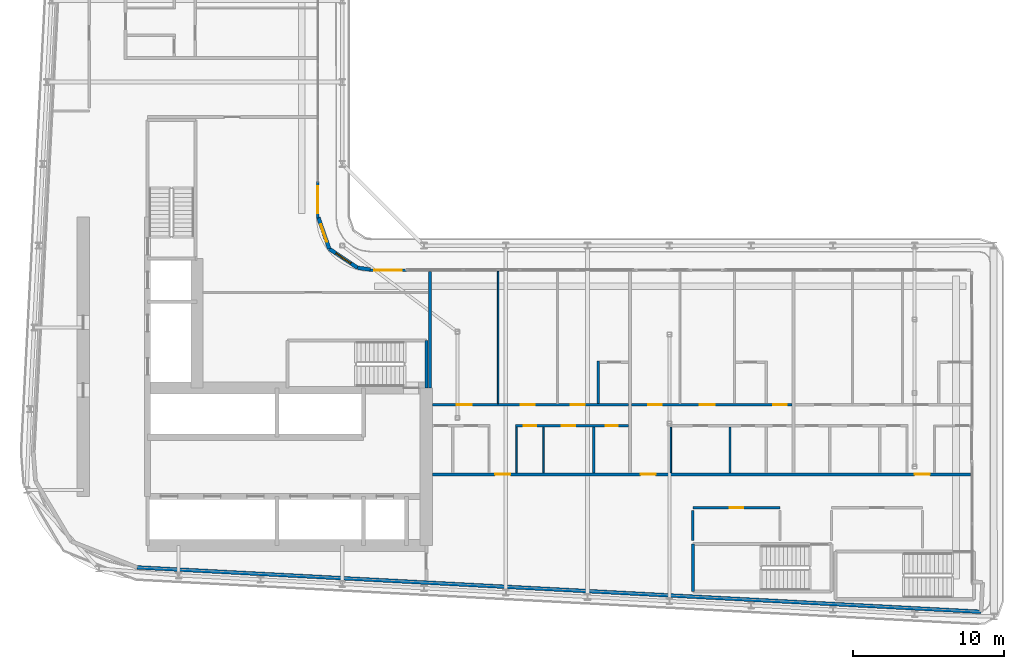
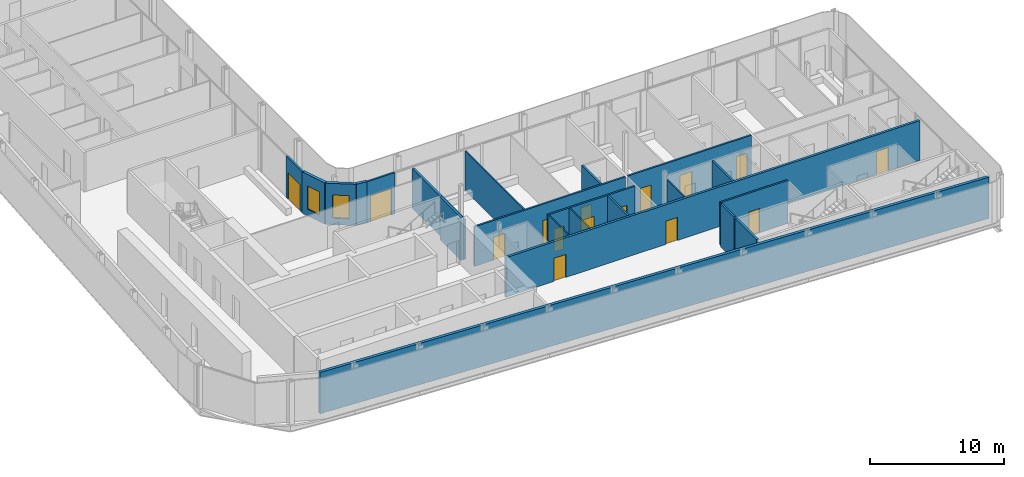
# One storey, part 12 of 24: 22 walls, 15 doors, 2 windows, 17 openings.
"""IFC4 building model written with IfcOpenShell, lengths in metres."""

from ifc_helpers import new_model, si_unit, direction, frame, frame_2d, origin, place, context, subcontext, project, spatial, rectangle, extrude, source, transform, mapped, material, layer, layer_set, type_object, element, fill, save


model = new_model("IFC4")

# Units and contexts
model_context = context("Model", 3, precision=1e-05, world=origin(), true_north=direction((0.0, 1.0)))
body_context = subcontext(model_context, "Body", "Model", "MODEL_VIEW")
ifc_project = project(units=[si_unit("LENGTHUNIT", "METRE"), si_unit("AREAUNIT", "SQUARE_METRE"), si_unit("VOLUMEUNIT", "CUBIC_METRE"), si_unit("PLANEANGLEUNIT", "RADIAN"), si_unit("MASSUNIT", "GRAM", prefix="KILO")], contexts=[model_context])

# Site, building, storey
site_placement = place(None, origin())
site = spatial("IfcSite", under=ifc_project, at=site_placement, CompositionType="ELEMENT")
building_placement = place(site_placement, origin())
building = spatial("IfcBuilding", under=site, at=building_placement, Name="Kheshtan School and Residences Tower", CompositionType="ELEMENT")
storey_placement = place(building_placement, frame((0.0, 0.0, 160.39990234375)))
storey = spatial("IfcBuildingStorey", under=building, at=storey_placement, Name="L37", CompositionType="ELEMENT", Elevation=160.39990234375)

# Wall, openings, doors
ifc_material_1 = material(Name="Gypsum board on steel studs with fire boards", Category="steel")
ifc_layer_1 = layer(ifc_material_1, 0.199951171875)
ifc_layer_set_1 = layer_set([ifc_layer_1], Name="Corridor wall 200")
wall_type_1 = type_object("IfcWallType", Name="Corridor wall 200", PredefinedType="PARTITIONING", material=ifc_layer_set_1)
wall_1_placement = place(storey_placement, frame((53.549072265625, 30.5, 0.0), z_axis=(0.0, 0.0, 1.0), x_axis=(1.0, 0.0, 0.0)))
wall_1 = element("IfcWall", 1, at=wall_1_placement, inside=storey, type_object=wall_type_1, Name="Partition L37-037", PredefinedType="PARTITIONING", context=body_context, shape_type="SweptSolid", body=[
    extrude(rectangle(XDim=35.551025390625, YDim=0.199951171875, at=frame_2d((17.775390625, 0.0))), origin(), (0.0, 0.0, 1.0), 3.60009765625),
])
opening_1_placement = place(wall_1_placement, frame((4.15087890625, 0.0, 0.0)))
opening_1 = element("IfcOpeningElement", 2, at=opening_1_placement, cuts=wall_1, Name="Opening D37-005", PredefinedType="OPENING", context=body_context, shape_type="SweptSolid", body=[
    extrude(rectangle(XDim=1.0, YDim=2.10009765625, at=frame_2d((0.5, 1.050048828125))), frame((0.0, 0.10986328125, 0.0), z_axis=(0.0, -1.0, 0.0), x_axis=(1.0, 0.0, 0.0)), (0.0, 0.0, 1.0), 0.219970703125),
])
opening_2_placement = place(wall_1_placement, frame((13.7509765625, 0.0, 0.0)))
opening_2 = element("IfcOpeningElement", 3, at=opening_2_placement, cuts=wall_1, Name="Opening D37-014", PredefinedType="OPENING", context=body_context, shape_type="SweptSolid", body=[
    extrude(rectangle(XDim=1.0, YDim=2.10009765625, at=frame_2d((0.5, 1.050048828125))), frame((0.0, 0.10986328125, 0.0), z_axis=(0.0, -1.0, 0.0), x_axis=(1.0, 0.0, 0.0)), (0.0, 0.0, 1.0), 0.219970703125),
])
opening_3_placement = place(wall_1_placement, frame((31.85107421875, 0.0, 0.0)))
opening_3 = element("IfcOpeningElement", 4, at=opening_3_placement, cuts=wall_1, Name="Opening D37-023", PredefinedType="OPENING", context=body_context, shape_type="SweptSolid", body=[
    extrude(rectangle(XDim=1.0, YDim=2.10009765625, at=frame_2d((0.5, 1.050048828125))), frame((0.0, 0.10986328125, 0.0), z_axis=(0.0, -1.0, 0.0), x_axis=(1.0, 0.0, 0.0)), (0.0, 0.0, 1.0), 0.219970703125),
])
ifc_material_2 = material(Name="Steel-framed fire-resisting door leaf", Category="steel")
door_type_1 = type_object("IfcDoorType", Name="Fire door FD30S 1000 x 2100", OperationType="SINGLE_SWING_LEFT", PredefinedType="DOOR", material=ifc_material_2)
shared_shape_1 = source(origin(), body_context, "Body", "SweptSolid", [
    extrude(rectangle(XDim=1.0, YDim=2.10009765625, at=frame_2d((0.5, 1.050048828125))), frame((0.0, 0.02490234375, 0.0), z_axis=(0.0, -1.0, 0.0), x_axis=(1.0, 0.0, 0.0)), (0.0, 0.0, 1.0), 0.050048828125),
])
door_1_placement = place(opening_1_placement, origin())
door_1 = element("IfcDoor", 5, at=door_1_placement, inside=storey, type_object=door_type_1, Name="Door D37-005", OperationType="SINGLE_SWING_RIGHT", OverallHeight=2.10009765625, OverallWidth=1.0, PredefinedType="DOOR", context=body_context, shape_type="MappedRepresentation", body=[
    mapped(shared_shape_1, transform((0.0, 0.0, 0.0), x_axis=(1.0, 0.0, 0.0), y_axis=(0.0, 1.0, 0.0), z_axis=(0.0, 0.0, 1.0), scale=1.0)),
])
fill(opening_1, door_1)
door_2_placement = place(opening_2_placement, origin())
door_2 = element("IfcDoor", 6, at=door_2_placement, inside=storey, type_object=door_type_1, Name="Door D37-014", OperationType="SINGLE_SWING_LEFT", OverallHeight=2.10009765625, OverallWidth=1.0, PredefinedType="DOOR", context=body_context, shape_type="MappedRepresentation", body=[
    mapped(shared_shape_1, transform((0.0, 0.0, 0.0), x_axis=(1.0, 0.0, 0.0), y_axis=(0.0, 1.0, 0.0), z_axis=(0.0, 0.0, 1.0), scale=1.0)),
])
fill(opening_2, door_2)
door_3_placement = place(opening_3_placement, origin())
door_3 = element("IfcDoor", 7, at=door_3_placement, inside=storey, type_object=door_type_1, Name="Door D37-023", OperationType="SINGLE_SWING_RIGHT", OverallHeight=2.10009765625, OverallWidth=1.0, PredefinedType="DOOR", context=body_context, shape_type="MappedRepresentation", body=[
    mapped(shared_shape_1, transform((0.0, 0.0, 0.0), x_axis=(1.0, 0.0, 0.0), y_axis=(0.0, 1.0, 0.0), z_axis=(0.0, 0.0, 1.0), scale=1.0)),
])
fill(opening_3, door_3)

# Wall, opening, window
ifc_material_3 = material(Name="Concrete C40/50 with ceramic cladding and mineral wool insulation", Category="concrete")
ifc_layer_2 = layer(ifc_material_3, 0.25)
ifc_layer_set_2 = layer_set([ifc_layer_2], Name="External wall 250 ceramic clad")
wall_type_2 = type_object("IfcWallType", Name="External wall 250 ceramic clad", PredefinedType="SOLIDWALL", material=ifc_layer_set_2)
wall_2_placement = place(storey_placement, frame((46.01806640625, 47.470947265625, 0.0), z_axis=(0.0, 0.0, 1.0), x_axis=(0.328791208903, -0.944402637093, 0.0)))
wall_2 = element("IfcWall", 8, at=wall_2_placement, inside=storey, type_object=wall_type_2, Name="External wall L37 9", PredefinedType="SOLIDWALL", context=body_context, shape_type="SweptSolid", body=[
    extrude(rectangle(XDim=2.20458984375, YDim=0.25, at=frame_2d((1.102294921875, 0.0))), origin(), (0.0, 0.0, 1.0), 3.75),
])
opening_4_placement = place(wall_2_placement, frame((0.5029296875, 0.0, 0.60009765625)))
opening_4 = element("IfcOpeningElement", 9, at=opening_4_placement, cuts=wall_2, Name="Opening WN-E", PredefinedType="OPENING", context=body_context, shape_type="SweptSolid", body=[
    extrude(rectangle(XDim=1.199951171875, YDim=2.10009765625, at=frame_2d((0.60009765625, 1.050048828125))), frame((0.0, 0.135009765625, 0.0), z_axis=(0.0, -1.0, 0.0), x_axis=(1.0, 0.0, 0.0)), (0.0, 0.0, 1.0), 0.27001953125),
])
ifc_material_4 = material(Name="Clear low-e glass in thermally broken aluminium frame", Category="aluminium")
window_type = type_object("IfcWindowType", Name="Window WN-E", PartitioningType="SINGLE_PANEL", PredefinedType="WINDOW", material=ifc_material_4)
shared_shape_2 = source(origin(), body_context, "Body", "SweptSolid", [
    extrude(rectangle(XDim=1.199951171875, YDim=2.10009765625, at=frame_2d((0.60009765625, 1.050048828125))), frame((0.0, 0.030029296875, 0.0), z_axis=(0.0, -1.0, 0.0), x_axis=(1.0, 0.0, 0.0)), (0.0, 0.0, 1.0), 0.06005859375),
])
window_1_placement = place(opening_4_placement, origin())
window_1 = element("IfcWindow", 10, at=window_1_placement, inside=storey, type_object=window_type, Name="Window L37 9", OverallHeight=2.10009765625, OverallWidth=1.199951171875, PartitioningType="SINGLE_PANEL", PredefinedType="WINDOW", context=body_context, shape_type="MappedRepresentation", body=[
    mapped(shared_shape_2, transform((0.0, 0.0, 0.0), x_axis=(1.0, 0.0, 0.0), y_axis=(0.0, 1.0, 0.0), z_axis=(0.0, 0.0, 1.0), scale=1.0)),
])
fill(opening_4, window_1)

wall_3_placement = place(storey_placement, frame((46.742919921875, 45.388916015625, 0.0), z_axis=(0.0, 0.0, 1.0), x_axis=(0.831449265529, -0.555600682912, 0.0)))
wall_3 = element("IfcWall", 11, at=wall_3_placement, inside=storey, type_object=wall_type_2, Name="External wall L37 10", PredefinedType="SOLIDWALL", context=body_context, shape_type="SweptSolid", body=[
    extrude(rectangle(XDim=2.25146484375, YDim=0.25, at=frame_2d((1.125732421875, 0.0))), origin(), (0.0, 0.0, 1.0), 3.75),
])
opening_5_placement = place(wall_3_placement, frame((0.52490234375, 0.0, 0.60009765625)))
opening_5 = element("IfcOpeningElement", 12, at=opening_5_placement, cuts=wall_3, Name="Opening WN-E", PredefinedType="OPENING", context=body_context, shape_type="SweptSolid", body=[
    extrude(rectangle(XDim=1.199951171875, YDim=2.10009765625, at=frame_2d((0.60009765625, 1.050048828125))), frame((0.0, 0.135009765625, 0.0), z_axis=(0.0, -1.0, 0.0), x_axis=(1.0, 0.0, 0.0)), (0.0, 0.0, 1.0), 0.27001953125),
])
window_2_placement = place(opening_5_placement, origin())
window_2 = element("IfcWindow", 13, at=window_2_placement, inside=storey, type_object=window_type, Name="Window L37 10", OverallHeight=2.10009765625, OverallWidth=1.199951171875, PartitioningType="SINGLE_PANEL", PredefinedType="WINDOW", context=body_context, shape_type="MappedRepresentation", body=[
    mapped(shared_shape_2, transform((0.0, 0.0, 0.0), x_axis=(1.0, 0.0, 0.0), y_axis=(0.0, 1.0, 0.0), z_axis=(0.0, 0.0, 1.0), scale=1.0)),
])
fill(opening_5, window_2)

# Walls
wall_4_placement = place(storey_placement, frame((48.614990234375, 44.137939453125, 0.0), z_axis=(0.0, 0.0, 1.0), x_axis=(0.990741504246, -0.135761819977, 0.0)))
element("IfcWall", 14, at=wall_4_placement, inside=storey, type_object=wall_type_2, Name="External wall L37 11", PredefinedType="SOLIDWALL", context=body_context, shape_type="SweptSolid", body=[
    extrude(rectangle(XDim=0.83984375, YDim=0.25, at=frame_2d((0.419921875, 0.0))), origin(), (0.0, 0.0, 1.0), 3.75),
])
wall_5_placement = place(storey_placement, frame((89.785888671875, 21.4189453125, 0.0), z_axis=(0.0, 0.0, 1.0), x_axis=(-0.998617793089, 0.052559521752, 0.0)))
element("IfcWall", 15, at=wall_5_placement, inside=storey, type_object=wall_type_2, Name="External wall L37 16", PredefinedType="SOLIDWALL", context=body_context, shape_type="SweptSolid", body=[
    extrude(rectangle(XDim=55.823974609375, YDim=0.25, at=frame_2d((27.912109375, 0.0))), origin(), (0.0, 0.0, 1.0), 3.75),
])

# Wall, opening, door
ifc_material_5 = material(Name="Aluminium frame wall with insulated infill", Category="aluminium")
ifc_layer_3 = layer(ifc_material_5, 0.14990234375)
ifc_layer_set_3 = layer_set([ifc_layer_3], Name="Glazing frame wall 150")
wall_type_3 = type_object("IfcWallType", Name="Glazing frame wall 150", PredefinedType="SOLIDWALL", material=ifc_layer_set_3)
wall_6_placement = place(storey_placement, frame((45.97509765625, 49.830078125, 0.0), z_axis=(0.0, 0.0, 1.0), x_axis=(0.0, -1.0, 0.0)))
wall_6 = element("IfcWall", 16, at=wall_6_placement, inside=storey, type_object=wall_type_3, Name="Balcony door wall L37 8.5", PredefinedType="SOLIDWALL", context=body_context, shape_type="SweptSolid", body=[
    extrude(rectangle(XDim=2.400146484375, YDim=0.14990234375, at=frame_2d((1.2001953125, 0.0))), origin(), (0.0, 0.0, 1.0), 3.75),
])
opening_6_placement = place(wall_6_placement, frame((0.300048828125, 0.0, 0.0)))
opening_6 = element("IfcOpeningElement", 17, at=opening_6_placement, cuts=wall_6, Name="Opening BD", PredefinedType="OPENING", context=body_context, shape_type="SweptSolid", body=[
    extrude(rectangle(XDim=1.800048828125, YDim=2.39990234375, at=frame_2d((0.89990234375, 1.199951171875))), frame((0.0, 0.0849609375, 0.0), z_axis=(0.0, -1.0, 0.0), x_axis=(1.0, 0.0, 0.0)), (0.0, 0.0, 1.0), 0.169921875),
])
door_type_2 = type_object("IfcDoorType", Name="Balcony sliding door", OperationType="SLIDING_TO_LEFT", PredefinedType="DOOR", material=ifc_material_4)
shared_shape_3 = source(origin(), body_context, "Body", "SweptSolid", [
    extrude(rectangle(XDim=1.800048828125, YDim=2.39990234375, at=frame_2d((0.89990234375, 1.199951171875))), frame((0.0, 0.02490234375, 0.0), z_axis=(0.0, -1.0, 0.0), x_axis=(1.0, 0.0, 0.0)), (0.0, 0.0, 1.0), 0.050048828125),
])
door_4_placement = place(opening_6_placement, origin())
door_4 = element("IfcDoor", 18, at=door_4_placement, inside=storey, type_object=door_type_2, Name="Balcony door L37 8.5", OperationType="SLIDING_TO_LEFT", OverallHeight=2.39990234375, OverallWidth=1.800048828125, PredefinedType="DOOR", context=body_context, shape_type="MappedRepresentation", body=[
    mapped(shared_shape_3, transform((0.0, 0.0, 0.0), x_axis=(1.0, 0.0, 0.0), y_axis=(0.0, 1.0, 0.0), z_axis=(0.0, 0.0, 1.0), scale=1.0)),
])
fill(opening_6, door_4)

wall_7_placement = place(storey_placement, frame((49.429931640625, 43.97509765625, 0.0), z_axis=(0.0, 0.0, 1.0), x_axis=(1.0, 0.0, 0.0)))
wall_7 = element("IfcWall", 19, at=wall_7_placement, inside=storey, type_object=wall_type_3, Name="Balcony door wall L37 12.1", PredefinedType="SOLIDWALL", context=body_context, shape_type="SweptSolid", body=[
    extrude(rectangle(XDim=2.400146484375, YDim=0.14990234375, at=frame_2d((1.2001953125, 0.0))), origin(), (0.0, 0.0, 1.0), 3.75),
])
opening_7_placement = place(wall_7_placement, frame((0.300048828125, 0.0, 0.0)))
opening_7 = element("IfcOpeningElement", 20, at=opening_7_placement, cuts=wall_7, Name="Opening BD", PredefinedType="OPENING", context=body_context, shape_type="SweptSolid", body=[
    extrude(rectangle(XDim=1.800048828125, YDim=2.39990234375, at=frame_2d((0.89990234375, 1.199951171875))), frame((0.0, 0.0849609375, 0.0), z_axis=(0.0, -1.0, 0.0), x_axis=(1.0, 0.0, 0.0)), (0.0, 0.0, 1.0), 0.169921875),
])
door_5_placement = place(opening_7_placement, origin())
door_5 = element("IfcDoor", 21, at=door_5_placement, inside=storey, type_object=door_type_2, Name="Balcony door L37 12.1", OperationType="SLIDING_TO_LEFT", OverallHeight=2.39990234375, OverallWidth=1.800048828125, PredefinedType="DOOR", context=body_context, shape_type="MappedRepresentation", body=[
    mapped(shared_shape_3, transform((0.0, 0.0, 0.0), x_axis=(1.0, 0.0, 0.0), y_axis=(0.0, 1.0, 0.0), z_axis=(0.0, 0.0, 1.0), scale=1.0)),
])
fill(opening_7, door_5)

# Walls
ifc_material_6 = material(Name="Gypsum board on steel studs", Category="steel")
ifc_layer_4 = layer(ifc_material_6, 0.10009765625)
ifc_layer_set_4 = layer_set([ifc_layer_4], Name="Gypsum partition 100")
wall_type_4 = type_object("IfcWallType", Name="Gypsum partition 100", PredefinedType="PARTITIONING", material=ifc_layer_set_4)
wall_8_placement = place(storey_placement, frame((57.89990234375, 35.175048828125, 0.0), z_axis=(0.0, 0.0, 1.0), x_axis=(0.0, 1.0, 0.0)))
element("IfcWall", 22, at=wall_8_placement, inside=storey, type_object=wall_type_4, Name="Partition L37-042", PredefinedType="PARTITIONING", context=body_context, shape_type="SweptSolid", body=[
    extrude(rectangle(XDim=8.724853515625, YDim=0.10009765625, at=frame_2d((4.3623046875, 0.0))), origin(), (0.0, 0.0, 1.0), 3.60009765625),
])
for number, where, z_axis, x_axis, name in (
    (23, (59.10009765625, 30.60009765625, 0.0), (0.0, 0.0, 1.0), (0.0, 1.0, 0.0), "Partition L37-044"),
    (24, (60.89990234375, 30.60009765625, 0.0), (0.0, 0.0, 1.0), (0.0, 1.0, 0.0), "Partition L37-045"),
):
    element("IfcWall", number, at=place(storey_placement, frame(where, z_axis=z_axis, x_axis=x_axis)), inside=storey, type_object=wall_type_4, Name=name, PredefinedType="PARTITIONING", context=body_context, shape_type="SweptSolid", body=[
        extrude(rectangle(XDim=3.02490234375, YDim=0.10009765625, at=frame_2d((1.512451171875, 0.0))), origin(), (0.0, 0.0, 1.0), 3.60009765625),
    ])
wall_9_placement = place(storey_placement, frame((69.300048828125, 30.60009765625, 0.0), z_axis=(0.0, 0.0, 1.0), x_axis=(0.0, 1.0, 0.0)))
element("IfcWall", 25, at=wall_9_placement, inside=storey, type_object=wall_type_4, Name="Partition L37-053", PredefinedType="PARTITIONING", context=body_context, shape_type="SweptSolid", body=[
    extrude(rectangle(XDim=3.02490234375, YDim=0.10009765625, at=frame_2d((1.512451171875, 0.0))), origin(), (0.0, 0.0, 1.0), 3.217041015625),
])

# Wall, opening, door
ifc_material_7 = material(Name="Fire-board shaft wall system")
ifc_layer_5 = layer(ifc_material_7, 0.14990234375)
ifc_layer_set_5 = layer_set([ifc_layer_5], Name="Service room wall 150")
wall_type_5 = type_object("IfcWallType", Name="Service room wall 150", PredefinedType="PARTITIONING", material=ifc_layer_set_5)
wall_10_placement = place(storey_placement, frame((70.75, 28.300048828125, 0.0), z_axis=(0.0, 0.0, 1.0), x_axis=(1.0, 0.0, 0.0)))
wall_10 = element("IfcWall", 26, at=wall_10_placement, inside=storey, type_object=wall_type_5, Name="Service room wall", PredefinedType="PARTITIONING", context=body_context, shape_type="SweptSolid", body=[
    extrude(rectangle(XDim=5.760009765625, YDim=0.14990234375, at=frame_2d((2.8798828125, 0.0))), origin(), (0.0, 0.0, 1.0), 3.900146484375),
])
opening_8_placement = place(wall_10_placement, frame((2.429931640625, 0.0, 0.0)))
opening_8 = element("IfcOpeningElement", 27, at=opening_8_placement, cuts=wall_10, Name="Opening SR90", PredefinedType="OPENING", context=body_context, shape_type="SweptSolid", body=[
    extrude(rectangle(XDim=0.89990234375, YDim=2.199951171875, at=frame_2d((0.449951171875, 1.10009765625))), frame((0.0, 0.0849609375, 0.0), z_axis=(0.0, -1.0, 0.0), x_axis=(1.0, 0.0, 0.0)), (0.0, 0.0, 1.0), 0.169921875),
])
ifc_material_8 = material(Name="Steel door leaf, galvanised", Category="steel")
door_type_3 = type_object("IfcDoorType", Name="Service room door 900 steel 90 min", OperationType="SINGLE_SWING_LEFT", PredefinedType="DOOR", material=ifc_material_8)
shared_shape_4 = source(origin(), body_context, "Body", "SweptSolid", [
    extrude(rectangle(XDim=0.89990234375, YDim=2.199951171875, at=frame_2d((0.449951171875, 1.10009765625))), frame((0.0, 0.02490234375, 0.0), z_axis=(0.0, -1.0, 0.0), x_axis=(1.0, 0.0, 0.0)), (0.0, 0.0, 1.0), 0.050048828125),
])
door_6_placement = place(opening_8_placement, origin())
door_6 = element("IfcDoor", 28, at=door_6_placement, inside=storey, type_object=door_type_3, Name="Service room door", OperationType="SINGLE_SWING_LEFT", OverallHeight=2.199951171875, OverallWidth=0.89990234375, PredefinedType="DOOR", context=body_context, shape_type="MappedRepresentation", body=[
    mapped(shared_shape_4, transform((0.0, 0.0, 0.0), x_axis=(1.0, 0.0, 0.0), y_axis=(0.0, 1.0, 0.0), z_axis=(0.0, 0.0, 1.0), scale=1.0)),
])
fill(opening_8, door_6)

# Walls
wall_11_placement = place(storey_placement, frame((70.75, 26.1201171875, 0.0), z_axis=(0.0, 0.0, 1.0), x_axis=(0.0, 1.0, 0.0)))
element("IfcWall", 29, at=wall_11_placement, inside=storey, type_object=wall_type_5, Name="Service room wall", PredefinedType="PARTITIONING", context=body_context, shape_type="SweptSolid", body=[
    extrude(rectangle(XDim=1.98486328125, YDim=0.14990234375, at=frame_2d((0.992431640625, 0.0))), origin(), (0.0, 0.0, 1.0), 3.900146484375),
])
ifc_material_9 = material(Name="Concrete C40/50", Category="concrete")
ifc_layer_6 = layer(ifc_material_9, 0.199951171875)
ifc_layer_set_6 = layer_set([ifc_layer_6], Name="Stair enclosure wall 200 Concrete C40/50")
wall_type_6 = type_object("IfcWallType", Name="Stair enclosure wall 200 Concrete C40/50", PredefinedType="SHEAR", material=ifc_layer_set_6)
wall_12_placement = place(storey_placement, frame((53.14990234375, 36.199951171875, 0.0), z_axis=(0.0, 0.0, 1.0), x_axis=(0.0, 1.0, 0.0)))
element("IfcWall", 30, at=wall_12_placement, inside=storey, type_object=wall_type_6, Name="Stair enclosure wall ST1", PredefinedType="SHEAR", context=body_context, shape_type="SweptSolid", body=[
    extrude(rectangle(XDim=3.150146484375, YDim=0.199951171875, at=frame_2d((1.5751953125, 0.0))), origin(), (0.0, 0.0, 1.0), 3.900146484375),
])
wall_13_placement = place(storey_placement, frame((70.75, 22.75, 0.0), z_axis=(0.0, 0.0, 1.0), x_axis=(0.0, 1.0, 0.0)))
element("IfcWall", 31, at=wall_13_placement, inside=storey, type_object=wall_type_6, Name="Stair enclosure wall ST5", PredefinedType="SHEAR", context=body_context, shape_type="SweptSolid", body=[
    extrude(rectangle(XDim=3.14990234375, YDim=0.199951171875, at=frame_2d((1.574951171875, 0.0))), origin(), (0.0, 0.0, 1.0), 3.900146484375),
])
ifc_material_10 = material(Name="Twin gypsum board on steel studs with mineral wool", Category="steel")
ifc_layer_7 = layer(ifc_material_10, 0.199951171875)
ifc_layer_set_7 = layer_set([ifc_layer_7], Name="Unit demising wall 200")
wall_type_7 = type_object("IfcWallType", Name="Unit demising wall 200", PredefinedType="PARTITIONING", material=ifc_layer_set_7)
wall_14_placement = place(storey_placement, frame((53.39990234375, 36.198974609375, 0.0), z_axis=(0.0, 0.0, 1.0), x_axis=(0.0, 1.0, 0.0)))
element("IfcWall", 32, at=wall_14_placement, inside=storey, type_object=wall_type_7, Name="Partition L37-036", PredefinedType="PARTITIONING", context=body_context, shape_type="SweptSolid", body=[
    extrude(rectangle(XDim=7.700927734375, YDim=0.199951171875, at=frame_2d((3.8505859375, 0.0))), origin(), (0.0, 0.0, 1.0), 3.60009765625),
])

# Wall, openings, doors
ifc_material_11 = material(Name="Moisture-resistant gypsum board on steel studs", Category="steel")
ifc_layer_8 = layer(ifc_material_11, 0.14990234375)
ifc_layer_set_8 = layer_set([ifc_layer_8], Name="Wet-room partition 150")
wall_type_8 = type_object("IfcWallType", Name="Wet-room partition 150", PredefinedType="PARTITIONING", material=ifc_layer_set_8)
wall_15_placement = place(storey_placement, frame((53.549072265625, 35.10009765625, 0.0), z_axis=(0.0, 0.0, 1.0), x_axis=(1.0, 0.0, 0.0)))
wall_15 = element("IfcWall", 33, at=wall_15_placement, inside=storey, type_object=wall_type_8, Name="Partition L37-039", PredefinedType="PARTITIONING", context=body_context, shape_type="SweptSolid", body=[
    extrude(rectangle(XDim=12.950927734375, YDim=0.14990234375, at=frame_2d((6.4755859375, 0.0))), origin(), (0.0, 0.0, 1.0), 3.60009765625),
])
opening_9_placement = place(wall_15_placement, frame((5.85107421875, 0.0, 0.0)))
opening_9 = element("IfcOpeningElement", 34, at=opening_9_placement, cuts=wall_15, Name="Opening D37-002", PredefinedType="OPENING", context=body_context, shape_type="SweptSolid", body=[
    extrude(rectangle(XDim=0.89990234375, YDim=2.10009765625, at=frame_2d((0.449951171875, 1.050048828125))), frame((0.0, 0.0849609375, 0.0), z_axis=(0.0, -1.0, 0.0), x_axis=(1.0, 0.0, 0.0)), (0.0, 0.0, 1.0), 0.169921875),
])
opening_10_placement = place(wall_15_placement, frame((1.60107421875, 0.0, 0.0)))
opening_10 = element("IfcOpeningElement", 35, at=opening_10_placement, cuts=wall_15, Name="Opening D37-007", PredefinedType="OPENING", context=body_context, shape_type="SweptSolid", body=[
    extrude(rectangle(XDim=1.0, YDim=2.10009765625, at=frame_2d((0.5, 1.050048828125))), frame((0.0, 0.0849609375, 0.0), z_axis=(0.0, -1.0, 0.0), x_axis=(1.0, 0.0, 0.0)), (0.0, 0.0, 1.0), 0.169921875),
])
opening_11_placement = place(wall_15_placement, frame((9.15087890625, 0.0, 0.0)))
opening_11 = element("IfcOpeningElement", 36, at=opening_11_placement, cuts=wall_15, Name="Opening D37-008", PredefinedType="OPENING", context=body_context, shape_type="SweptSolid", body=[
    extrude(rectangle(XDim=0.89990234375, YDim=2.10009765625, at=frame_2d((0.449951171875, 1.050048828125))), frame((0.0, 0.0849609375, 0.0), z_axis=(0.0, -1.0, 0.0), x_axis=(1.0, 0.0, 0.0)), (0.0, 0.0, 1.0), 0.169921875),
])
ifc_material_12 = material(Name="Veneered timber door leaf", Category="wood")
door_type_4 = type_object("IfcDoorType", Name="Door 1000 x 2100", OperationType="SINGLE_SWING_LEFT", PredefinedType="DOOR", material=ifc_material_12)
shared_shape_5 = source(origin(), body_context, "Body", "SweptSolid", [
    extrude(rectangle(XDim=1.0, YDim=2.10009765625, at=frame_2d((0.5, 1.050048828125))), frame((0.0, 0.02490234375, 0.0), z_axis=(0.0, -1.0, 0.0), x_axis=(1.0, 0.0, 0.0)), (0.0, 0.0, 1.0), 0.050048828125),
])
door_7_placement = place(opening_10_placement, origin())
door_7 = element("IfcDoor", 37, at=door_7_placement, inside=storey, type_object=door_type_4, Name="Door D37-007", OperationType="SINGLE_SWING_RIGHT", OverallHeight=2.10009765625, OverallWidth=1.0, PredefinedType="DOOR", context=body_context, shape_type="MappedRepresentation", body=[
    mapped(shared_shape_5, transform((0.0, 0.0, 0.0), x_axis=(1.0, 0.0, 0.0), y_axis=(0.0, 1.0, 0.0), z_axis=(0.0, 0.0, 1.0), scale=1.0)),
])
fill(opening_10, door_7)
door_type_5 = type_object("IfcDoorType", Name="Door 900 x 2100", OperationType="SINGLE_SWING_LEFT", PredefinedType="DOOR", material=ifc_material_12)
shared_shape_6 = source(origin(), body_context, "Body", "SweptSolid", [
    extrude(rectangle(XDim=0.89990234375, YDim=2.10009765625, at=frame_2d((0.449951171875, 1.050048828125))), frame((0.0, 0.02490234375, 0.0), z_axis=(0.0, -1.0, 0.0), x_axis=(1.0, 0.0, 0.0)), (0.0, 0.0, 1.0), 0.050048828125),
])
door_8_placement = place(opening_9_placement, origin())
door_8 = element("IfcDoor", 38, at=door_8_placement, inside=storey, type_object=door_type_5, Name="Door D37-002", OperationType="SINGLE_SWING_RIGHT", OverallHeight=2.10009765625, OverallWidth=0.89990234375, PredefinedType="DOOR", context=body_context, shape_type="MappedRepresentation", body=[
    mapped(shared_shape_6, transform((0.0, 0.0, 0.0), x_axis=(1.0, 0.0, 0.0), y_axis=(0.0, 1.0, 0.0), z_axis=(0.0, 0.0, 1.0), scale=1.0)),
])
fill(opening_9, door_8)
door_9_placement = place(opening_11_placement, origin())
door_9 = element("IfcDoor", 39, at=door_9_placement, inside=storey, type_object=door_type_5, Name="Door D37-008", OperationType="SINGLE_SWING_LEFT", OverallHeight=2.10009765625, OverallWidth=0.89990234375, PredefinedType="DOOR", context=body_context, shape_type="MappedRepresentation", body=[
    mapped(shared_shape_6, transform((0.0, 0.0, 0.0), x_axis=(1.0, 0.0, 0.0), y_axis=(0.0, 1.0, 0.0), z_axis=(0.0, 0.0, 1.0), scale=1.0)),
])
fill(opening_11, door_9)

wall_16_placement = place(storey_placement, frame((59.050048828125, 33.699951171875, 0.0), z_axis=(0.0, 0.0, 1.0), x_axis=(1.0, 0.0, 0.0)))
wall_16 = element("IfcWall", 40, at=wall_16_placement, inside=storey, type_object=wall_type_8, Name="Partition L37-043", PredefinedType="PARTITIONING", context=body_context, shape_type="SweptSolid", body=[
    extrude(rectangle(XDim=7.449951171875, YDim=0.14990234375, at=frame_2d((3.72509765625, 0.0))), origin(), (0.0, 0.0, 1.0), 3.60009765625),
])
opening_12_placement = place(wall_16_placement, frame((5.949951171875, 0.0, 0.0)))
opening_12 = element("IfcOpeningElement", 41, at=opening_12_placement, cuts=wall_16, Name="Opening D37-001", PredefinedType="OPENING", context=body_context, shape_type="SweptSolid", body=[
    extrude(rectangle(XDim=0.800048828125, YDim=2.10009765625, at=frame_2d((0.39990234375, 1.050048828125))), frame((0.0, 0.0849609375, 0.0), z_axis=(0.0, -1.0, 0.0), x_axis=(1.0, 0.0, 0.0)), (0.0, 0.0, 1.0), 0.169921875),
])
opening_13_placement = place(wall_16_placement, frame((3.050048828125, 0.0, 0.0)))
opening_13 = element("IfcOpeningElement", 42, at=opening_13_placement, cuts=wall_16, Name="Opening D37-006", PredefinedType="OPENING", context=body_context, shape_type="SweptSolid", body=[
    extrude(rectangle(XDim=0.89990234375, YDim=2.10009765625, at=frame_2d((0.449951171875, 1.050048828125))), frame((0.0, 0.0849609375, 0.0), z_axis=(0.0, -1.0, 0.0), x_axis=(1.0, 0.0, 0.0)), (0.0, 0.0, 1.0), 0.169921875),
])
opening_14_placement = place(wall_16_placement, frame((0.550048828125, 0.0, 0.0)))
opening_14 = element("IfcOpeningElement", 43, at=opening_14_placement, cuts=wall_16, Name="Opening D37-009", PredefinedType="OPENING", context=body_context, shape_type="SweptSolid", body=[
    extrude(rectangle(XDim=0.800048828125, YDim=2.10009765625, at=frame_2d((0.39990234375, 1.050048828125))), frame((0.0, 0.0849609375, 0.0), z_axis=(0.0, -1.0, 0.0), x_axis=(1.0, 0.0, 0.0)), (0.0, 0.0, 1.0), 0.169921875),
])
door_type_6 = type_object("IfcDoorType", Name="Door 800 x 2100", OperationType="SINGLE_SWING_LEFT", PredefinedType="DOOR", material=ifc_material_12)
shared_shape_7 = source(origin(), body_context, "Body", "SweptSolid", [
    extrude(rectangle(XDim=0.800048828125, YDim=2.10009765625, at=frame_2d((0.39990234375, 1.050048828125))), frame((0.0, 0.02490234375, 0.0), z_axis=(0.0, -1.0, 0.0), x_axis=(1.0, 0.0, 0.0)), (0.0, 0.0, 1.0), 0.050048828125),
])
door_10_placement = place(opening_12_placement, origin())
door_10 = element("IfcDoor", 44, at=door_10_placement, inside=storey, type_object=door_type_6, Name="Door D37-001", OperationType="SINGLE_SWING_LEFT", OverallHeight=2.10009765625, OverallWidth=0.800048828125, PredefinedType="DOOR", context=body_context, shape_type="MappedRepresentation", body=[
    mapped(shared_shape_7, transform((0.0, 0.0, 0.0), x_axis=(1.0, 0.0, 0.0), y_axis=(0.0, 1.0, 0.0), z_axis=(0.0, 0.0, 1.0), scale=1.0)),
])
fill(opening_12, door_10)
door_11_placement = place(opening_14_placement, origin())
door_11 = element("IfcDoor", 45, at=door_11_placement, inside=storey, type_object=door_type_6, Name="Door D37-009", OperationType="SINGLE_SWING_LEFT", OverallHeight=2.10009765625, OverallWidth=0.800048828125, PredefinedType="DOOR", context=body_context, shape_type="MappedRepresentation", body=[
    mapped(shared_shape_7, transform((0.0, 0.0, 0.0), x_axis=(1.0, 0.0, 0.0), y_axis=(0.0, 1.0, 0.0), z_axis=(0.0, 0.0, 1.0), scale=1.0)),
])
fill(opening_14, door_11)
door_12_placement = place(opening_13_placement, origin())
door_12 = element("IfcDoor", 46, at=door_12_placement, inside=storey, type_object=door_type_5, Name="Door D37-006", OperationType="SINGLE_SWING_LEFT", OverallHeight=2.10009765625, OverallWidth=0.89990234375, PredefinedType="DOOR", context=body_context, shape_type="MappedRepresentation", body=[
    mapped(shared_shape_6, transform((0.0, 0.0, 0.0), x_axis=(1.0, 0.0, 0.0), y_axis=(0.0, 1.0, 0.0), z_axis=(0.0, 0.0, 1.0), scale=1.0)),
])
fill(opening_13, door_12)

# Walls
wall_17_placement = place(storey_placement, frame((64.199951171875, 30.60009765625, 0.0), z_axis=(0.0, 0.0, 1.0), x_axis=(0.0, 1.0, 0.0)))
element("IfcWall", 47, at=wall_17_placement, inside=storey, type_object=wall_type_8, Name="Partition L37-047", PredefinedType="PARTITIONING", context=body_context, shape_type="SweptSolid", body=[
    extrude(rectangle(XDim=3.02490234375, YDim=0.14990234375, at=frame_2d((1.512451171875, 0.0))), origin(), (0.0, 0.0, 1.0), 3.60009765625),
])
wall_18_placement = place(storey_placement, frame((64.5, 35.175048828125, 0.0), z_axis=(0.0, 0.0, 1.0), x_axis=(0.0, 1.0, 0.0)))
element("IfcWall", 48, at=wall_18_placement, inside=storey, type_object=wall_type_8, Name="Partition L37-048", PredefinedType="PARTITIONING", context=body_context, shape_type="SweptSolid", body=[
    extrude(rectangle(XDim=2.800048828125, YDim=0.14990234375, at=frame_2d((1.39990234375, 0.0))), origin(), (0.0, 0.0, 1.0), 3.60009765625),
])

# Wall, openings, doors
wall_19_placement = place(storey_placement, frame((66.699951171875, 35.10009765625, 0.0), z_axis=(0.0, 0.0, 1.0), x_axis=(1.0, 0.0, 0.0)))
wall_19 = element("IfcWall", 49, at=wall_19_placement, inside=storey, type_object=wall_type_8, Name="Partition L37-051", PredefinedType="PARTITIONING", context=body_context, shape_type="SweptSolid", body=[
    extrude(rectangle(XDim=10.60009765625, YDim=0.14990234375, at=frame_2d((5.300048828125, 0.0))), origin(), (0.0, 0.0, 1.0), 3.60009765625),
])
opening_15_placement = place(wall_19_placement, frame((1.10009765625, 0.0, 0.0)))
opening_15 = element("IfcOpeningElement", 50, at=opening_15_placement, cuts=wall_19, Name="Opening D37-012", PredefinedType="OPENING", context=body_context, shape_type="SweptSolid", body=[
    extrude(rectangle(XDim=0.89990234375, YDim=2.10009765625, at=frame_2d((0.449951171875, 1.050048828125))), frame((0.0, 0.0849609375, 0.0), z_axis=(0.0, -1.0, 0.0), x_axis=(1.0, 0.0, 0.0)), (0.0, 0.0, 1.0), 0.169921875),
])
opening_16_placement = place(wall_19_placement, frame((4.5, 0.0, 0.0)))
opening_16 = element("IfcOpeningElement", 51, at=opening_16_placement, cuts=wall_19, Name="Opening D37-016", PredefinedType="OPENING", context=body_context, shape_type="SweptSolid", body=[
    extrude(rectangle(XDim=1.0, YDim=2.10009765625, at=frame_2d((0.5, 1.050048828125))), frame((0.0, 0.0849609375, 0.0), z_axis=(0.0, -1.0, 0.0), x_axis=(1.0, 0.0, 0.0)), (0.0, 0.0, 1.0), 0.169921875),
])
opening_17_placement = place(wall_19_placement, frame((9.35009765625, 0.0, 0.0)))
opening_17 = element("IfcOpeningElement", 52, at=opening_17_placement, cuts=wall_19, Name="Opening D37-017", PredefinedType="OPENING", context=body_context, shape_type="SweptSolid", body=[
    extrude(rectangle(XDim=0.89990234375, YDim=2.10009765625, at=frame_2d((0.449951171875, 1.050048828125))), frame((0.0, 0.0849609375, 0.0), z_axis=(0.0, -1.0, 0.0), x_axis=(1.0, 0.0, 0.0)), (0.0, 0.0, 1.0), 0.169921875),
])
door_13_placement = place(opening_16_placement, origin())
door_13 = element("IfcDoor", 53, at=door_13_placement, inside=storey, type_object=door_type_4, Name="Door D37-016", OperationType="SINGLE_SWING_RIGHT", OverallHeight=2.10009765625, OverallWidth=1.0, PredefinedType="DOOR", context=body_context, shape_type="MappedRepresentation", body=[
    mapped(shared_shape_5, transform((0.0, 0.0, 0.0), x_axis=(1.0, 0.0, 0.0), y_axis=(0.0, 1.0, 0.0), z_axis=(0.0, 0.0, 1.0), scale=1.0)),
])
fill(opening_16, door_13)
door_14_placement = place(opening_15_placement, origin())
door_14 = element("IfcDoor", 54, at=door_14_placement, inside=storey, type_object=door_type_5, Name="Door D37-012", OperationType="SINGLE_SWING_RIGHT", OverallHeight=2.10009765625, OverallWidth=0.89990234375, PredefinedType="DOOR", context=body_context, shape_type="MappedRepresentation", body=[
    mapped(shared_shape_6, transform((0.0, 0.0, 0.0), x_axis=(1.0, 0.0, 0.0), y_axis=(0.0, 1.0, 0.0), z_axis=(0.0, 0.0, 1.0), scale=1.0)),
])
fill(opening_15, door_14)
door_15_placement = place(opening_17_placement, origin())
door_15 = element("IfcDoor", 55, at=door_15_placement, inside=storey, type_object=door_type_5, Name="Door D37-017", OperationType="SINGLE_SWING_LEFT", OverallHeight=2.10009765625, OverallWidth=0.89990234375, PredefinedType="DOOR", context=body_context, shape_type="MappedRepresentation", body=[
    mapped(shared_shape_6, transform((0.0, 0.0, 0.0), x_axis=(1.0, 0.0, 0.0), y_axis=(0.0, 1.0, 0.0), z_axis=(0.0, 0.0, 1.0), scale=1.0)),
])
fill(opening_17, door_15)

# Wall
wall_20_placement = place(storey_placement, frame((73.199951171875, 30.60009765625, 0.0), z_axis=(0.0, 0.0, 1.0), x_axis=(0.0, 1.0, 0.0)))
element("IfcWall", 56, at=wall_20_placement, inside=storey, type_object=wall_type_8, Name="Partition L37-055", PredefinedType="PARTITIONING", context=body_context, shape_type="SweptSolid", body=[
    extrude(rectangle(XDim=3.02490234375, YDim=0.14990234375, at=frame_2d((1.512451171875, 0.0))), origin(), (0.0, 0.0, 1.0), 3.60009765625),
])

save(model, "model.ifc")
